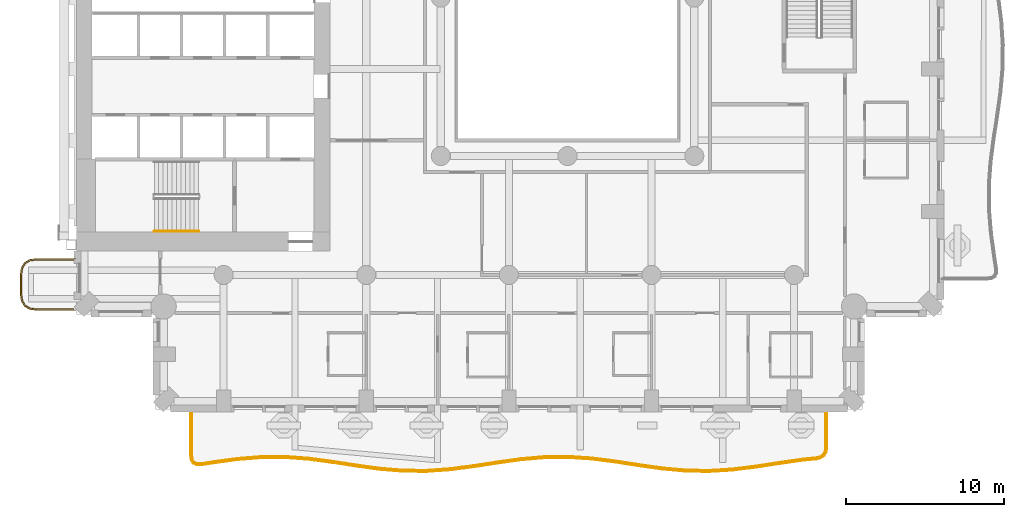
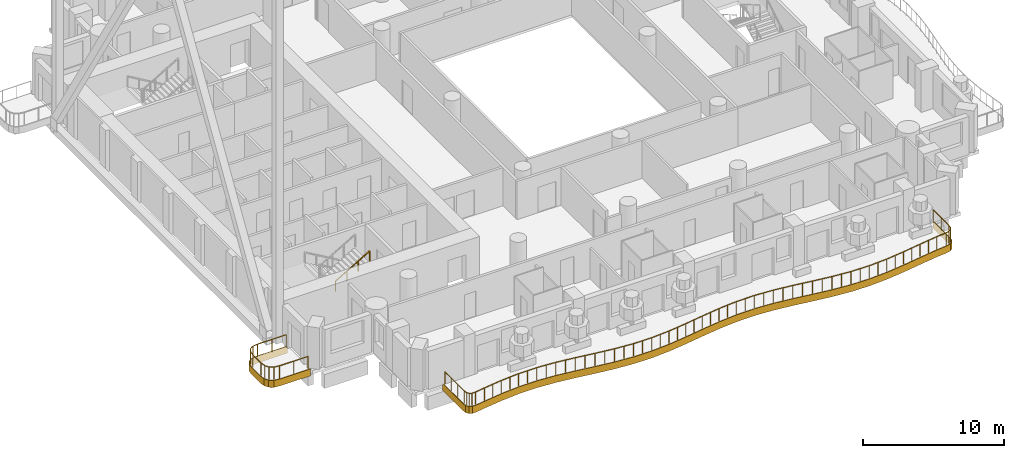
# One storey, part 17 of 24: 3 railings, 2 coverings.
"""IFC4 building model written with IfcOpenShell, lengths in metres."""

import ifcopenshell
import ifcopenshell.guid

model = None  # the IFC model being written
_history = None  # IfcOwnerHistory: only IFC2X3 demands one
_inside = {}  # id of a spatial element -> (the spatial element, [elements in it])
_under = {}  # id of a project, library or spatial element -> (it, [spatial elements below it])
_declared = {}  # id of a project -> (the project, [libraries it declares])
_typed = {}  # id of a type object -> (the type object, [elements of that type])
_made_of = {}  # id of a material, layer set ... -> (it, [elements and type objects made of it])


def new_model(schema):
    """Start an empty IFC model of exactly this schema.

    Asked for "IFC4X3", IfcOpenShell would pick the latest addendum, in which some entities
    have other attributes; the version numbers below select the first issue.
    IFC2X3 requires an IfcOwnerHistory on every rooted entity: one is made here for all.
    """
    global model, _history
    if schema == "IFC4X3":
        model = ifcopenshell.file(schema_version=(4, 3, 0, 0))
    else:
        model = ifcopenshell.file(schema=schema)
    _inside.clear()
    _under.clear()
    _declared.clear()
    _typed.clear()
    _made_of.clear()
    _history = None
    if model.schema == "IFC2X3":
        org = make("IfcOrganization", Name="unknown")
        user = make(
            "IfcPersonAndOrganization",
            ThePerson=make("IfcPerson", FamilyName="unknown"),
            TheOrganization=org,
        )
        app = make(
            "IfcApplication",
            ApplicationDeveloper=org,
            Version="unknown",
            ApplicationFullName="unknown",
            ApplicationIdentifier="unknown",
        )
        _history = make(
            "IfcOwnerHistory",
            OwningUser=user,
            OwningApplication=app,
            ChangeAction="ADDED",
            CreationDate=0,
        )
    return model


def make(cls, **values):
    """One entity of the class cls with the attributes given. An attribute that is None is left unset."""
    return model.create_entity(
        cls, **{name: value for name, value in values.items() if value is not None}
    )


def rooted(cls, **values):
    """An entity with a GlobalId (a new one), such as an element, a storey or a relation."""
    return make(cls, GlobalId=ifcopenshell.guid.new(), OwnerHistory=_history, **values)


def si_unit(unit_type, name, prefix=None):
    """IfcSIUnit, for example si_unit("LENGTHUNIT", "METRE", prefix="MILLI")."""
    return make("IfcSIUnit", UnitType=unit_type, Prefix=prefix, Name=name)


def assignment(units):
    """IfcUnitAssignment: the units of a project."""
    return None if units is None else make("IfcUnitAssignment", Units=units)


def point(xyz):
    """IfcCartesianPoint."""
    return None if xyz is None else make("IfcCartesianPoint", Coordinates=xyz)


def direction(xyz):
    """IfcDirection."""
    return None if xyz is None else make("IfcDirection", DirectionRatios=xyz)


def frame(location, z_axis=None, x_axis=None):
    """IfcAxis2Placement3D, a coordinate frame: its origin and axes. An axis left out is left unset."""
    return make(
        "IfcAxis2Placement3D",
        Location=point(location),
        Axis=direction(z_axis),
        RefDirection=direction(x_axis),
    )


def frame_2d(location, x_axis=None):
    """IfcAxis2Placement2D, a coordinate frame in the plane: its origin and x axis."""
    return make(
        "IfcAxis2Placement2D", Location=point(location), RefDirection=direction(x_axis)
    )


def origin():
    """The frame at (0, 0, 0) with its axes left unset."""
    return frame((0.0, 0.0, 0.0))


def origin_2d():
    """The frame at (0, 0) in the plane with its x axis left unset."""
    return frame_2d((0.0, 0.0))


def place(relative_to, where):
    """IfcLocalPlacement: puts the frame where relative to a parent placement (None: the world)."""
    return make(
        "IfcLocalPlacement", PlacementRelTo=relative_to, RelativePlacement=where
    )


def context(
    kind, dimensions, precision=None, world=None, true_north=None, identifier=None
):
    """IfcGeometricRepresentationContext, for example the 3D "Model" context."""
    return make(
        "IfcGeometricRepresentationContext",
        ContextIdentifier=identifier,
        ContextType=kind,
        CoordinateSpaceDimension=dimensions,
        Precision=precision,
        WorldCoordinateSystem=world,
        TrueNorth=true_north,
    )


def subcontext(parent, identifier, kind, view, scale=None):
    """IfcGeometricRepresentationSubContext, for example "Body" below "Model"."""
    return make(
        "IfcGeometricRepresentationSubContext",
        ContextIdentifier=identifier,
        ContextType=kind,
        ParentContext=parent,
        TargetScale=scale,
        TargetView=view,
    )


def project(units=None, contexts=None):
    """IfcProject with its units and contexts."""
    return rooted(
        "IfcProject",
        Name="project",
        RepresentationContexts=contexts,
        UnitsInContext=assignment(units),
    )


def spatial(cls, under=None, at=None, **own):
    """A site, building, storey or space (cls), placed at a placement, below another one or the project."""
    s = rooted(cls, ObjectPlacement=at, **own)
    if under is not None:
        _under.setdefault(under.id(), (under, []))[1].append(s)
    return s


def polyline(points):
    """IfcPolyline through the points."""
    return make("IfcPolyline", Points=[point(p) for p in points])


def profile(cls, at=None, kind="AREA", **sizes):
    """A parametric profile (cls). Its sizes go by their IFC names, for example OverallWidth=200.0."""
    return make(cls, ProfileType=kind, Position=at, **sizes)


def rectangle(**sizes):
    """IfcRectangleProfileDef."""
    return profile("IfcRectangleProfileDef", **sizes)


def outline(outer, holes=None, kind="AREA"):
    """IfcArbitraryClosedProfileDef: a profile drawn as a closed curve; with holes, ...WithVoids."""
    if holes is None:
        return make("IfcArbitraryClosedProfileDef", ProfileType=kind, OuterCurve=outer)
    return make(
        "IfcArbitraryProfileDefWithVoids",
        ProfileType=kind,
        OuterCurve=outer,
        InnerCurves=holes,
    )


def extrude(swept, where, along, depth):
    """IfcExtrudedAreaSolid: the profile swept, set in the frame where, extruded along a direction by depth."""
    return make(
        "IfcExtrudedAreaSolid",
        SweptArea=swept,
        Position=where,
        ExtrudedDirection=direction(along),
        Depth=depth,
    )


def shape(context_of_items, identifier, shape_type, items):
    """IfcShapeRepresentation: the items that make up one representation, for example the "Body"."""
    return make(
        "IfcShapeRepresentation",
        ContextOfItems=context_of_items,
        RepresentationIdentifier=identifier,
        RepresentationType=shape_type,
        Items=items,
    )


def material(Name=None, Category=None):
    """IfcMaterial."""
    return make("IfcMaterial", Name=Name, Category=Category)


def layer(
    of_material, thickness, ventilated=None, Name=None, Category=None, Priority=None
):
    """IfcMaterialLayer: one layer of a wall or slab, of a material (None: an air gap)."""
    return make(
        "IfcMaterialLayer",
        Material=of_material,
        LayerThickness=thickness,
        IsVentilated=ventilated,
        Name=Name,
        Category=Category,
        Priority=Priority,
    )


def layer_set(layers, Name=None):
    """IfcMaterialLayerSet."""
    return make("IfcMaterialLayerSet", MaterialLayers=layers, LayerSetName=Name)


def made_of(thing, what):
    """Note that an element or type object is made of a material, layer set ...; save() writes the relation."""
    if what is not None:
        _made_of.setdefault(what.id(), (what, []))[1].append(thing)
    return thing


def type_object(cls, material=None, **own):
    """A type object (cls), such as IfcWallType, which elements share."""
    return made_of(rooted(cls, **own), material)


def element(
    cls,
    number,
    at=None,
    inside=None,
    cuts=None,
    type_object=None,
    material=None,
    context=None,
    identifier="Body",
    shape_type=None,
    held_by="IfcProductDefinitionShape",
    body=None,
    shapes=None,
    **own,
):
    """One element of the class cls, such as IfcWall. Its Tag is "e" and its number.

    at: its placement. inside: the storey or other place that contains it. cuts: it is an
    opening in that element (IfcRelVoidsElement). A single representation is given by context,
    identifier, shape_type and body (its items); several are given by shapes. held_by: the class
    of the entity that holds the representations. save() writes the other relations.
    """
    e = rooted(cls, Tag="e%d" % number, ObjectPlacement=at, **own)
    if body is not None:
        shapes = [shape(context, identifier, shape_type, body)]
    if shapes is not None:
        e.Representation = make(held_by, Representations=shapes)
    if inside is not None:
        _inside.setdefault(inside.id(), (inside, []))[1].append(e)
    if cuts is not None:
        rooted(
            "IfcRelVoidsElement", RelatingBuildingElement=cuts, RelatedOpeningElement=e
        )
    if type_object is not None:
        _typed.setdefault(type_object.id(), (type_object, []))[1].append(e)
    return made_of(e, material)


def aggregate(whole, parts):
    """IfcRelAggregates: a whole, such as a stair, and the parts it consists of."""
    return rooted("IfcRelAggregates", RelatingObject=whole, RelatedObjects=parts)


def save(model, path):
    """Write the relations noted so far, then the file.

    IfcRelAggregates (storeys below a building ...), IfcRelContainedInSpatialStructure (elements
    in a storey), IfcRelDefinesByType, IfcRelAssociatesMaterial and IfcRelDeclares: one each for
    every whole, place, type object, material and project.
    """
    for whole, parts in _under.values():
        aggregate(whole, parts)
    for where, things in _inside.values():
        rooted(
            "IfcRelContainedInSpatialStructure",
            RelatedElements=things,
            RelatingStructure=where,
        )
    for kind, things in _typed.values():
        rooted("IfcRelDefinesByType", RelatedObjects=things, RelatingType=kind)
    for what, things in _made_of.values():
        rooted("IfcRelAssociatesMaterial", RelatedObjects=things, RelatingMaterial=what)
    for by, libraries in _declared.values():
        rooted("IfcRelDeclares", RelatingContext=by, RelatedDefinitions=libraries)
    model.write(path)


model = new_model("IFC4")

# Units and contexts
model_context = context("Model", 3, precision=1e-05, world=origin(), true_north=direction((0.0, 1.0)))
body_context = subcontext(model_context, "Body", "Model", "MODEL_VIEW")
ifc_project = project(units=[si_unit("LENGTHUNIT", "METRE"), si_unit("AREAUNIT", "SQUARE_METRE"), si_unit("VOLUMEUNIT", "CUBIC_METRE"), si_unit("PLANEANGLEUNIT", "RADIAN"), si_unit("MASSUNIT", "GRAM", prefix="KILO")], contexts=[model_context])

# Site, building, storey
site_placement = place(None, origin())
site = spatial("IfcSite", under=ifc_project, at=site_placement, CompositionType="ELEMENT")
building_placement = place(site_placement, origin())
building = spatial("IfcBuilding", under=site, at=building_placement, Name="Cypress Arch Tower", CompositionType="ELEMENT")
storey_placement = place(building_placement, frame((0.0, 0.0, 102.300048828125)))
storey = spatial("IfcBuildingStorey", under=building, at=storey_placement, Name="L20", CompositionType="ELEMENT", Elevation=102.300048828125)

# Coverings
ifc_material_1 = material(Name="White powder-coated aluminium fascia", Category="aluminium")
ifc_layer = layer(ifc_material_1, 0.050048828125)
ifc_layer_set = layer_set([ifc_layer], Name="Balcony fascia BF50")
covering_type = type_object("IfcCoveringType", Name="Balcony fascia BF50", PredefinedType="CLADDING", material=ifc_layer_set)
covering_1_placement = place(storey_placement, frame((0.0, 0.0, -0.60009765625)))
element("IfcCovering", 1, at=covering_1_placement, inside=storey, type_object=covering_type, Name="Balcony fascia L20-A00W1", PredefinedType="CLADDING", context=body_context, shape_type="SweptSolid", body=[
    extrude(outline(polyline([(-32.503662109375, -19.75), (-32.95458984375, -19.685546875), (-33.286376953125, -19.486328125), (-33.485595703125, -19.154541015625), (-33.550048828125, -18.70361328125), (-33.550048828125, -17.496337890625), (-33.485595703125, -17.04541015625), (-33.286376953125, -16.713623046875), (-32.95458984375, -16.514404296875), (-32.503662109375, -16.449951171875), (-30.0009765625, -16.449951171875), (-30.0009765625, -16.5), (-32.5, -16.5), (-32.9375, -16.5625), (-33.25, -16.75), (-33.4375, -17.0625), (-33.5, -17.5), (-33.5, -18.699951171875), (-33.4375, -19.137451171875), (-33.25, -19.449951171875), (-32.9375, -19.637451171875), (-32.5, -19.699951171875), (-30.0009765625, -19.699951171875), (-30.0009765625, -19.75), (-32.503662109375, -19.75)])), origin(), (0.0, 0.0, 1.0), 0.60009765625),
])
covering_2_placement = place(storey_placement, frame((0.0, 0.0, -0.60009765625)))
element("IfcCovering", 2, at=covering_2_placement, inside=storey, type_object=covering_type, Name="Balcony fascia L20-A03", PredefinedType="CLADDING", context=body_context, shape_type="SweptSolid", body=[
    extrude(outline(polyline([(17.39990234375, -28.367919921875), (17.3564453125, -28.678466796875), (17.220947265625, -28.91845703125), (16.994873046875, -29.076171875), (16.68994140625, -29.14892578125), (15.870849609375, -29.22705078125), (14.386962890625, -29.43994140625), (12.9013671875, -29.6689453125), (11.413818359375, -29.853515625), (9.92529296875, -29.945068359375), (8.436279296875, -29.91943359375), (6.947998046875, -29.783203125), (5.461181640625, -29.57275390625), (3.976318359375, -29.34326171875), (2.493408203125, -29.15478515625), (1.01171875, -29.05712890625), (-0.4697265625, -29.07568359375), (-1.95166015625, -29.205322265625), (-3.435302734375, -29.412353515625), (-4.920654296875, -29.642822265625), (-6.407958984375, -29.83544921875), (-7.896484375, -29.940185546875), (-9.385498046875, -29.9287109375), (-10.8740234375, -29.804443359375), (-12.36083984375, -29.60009765625), (-13.845947265625, -29.36962890625), (-15.3291015625, -29.17333984375), (-16.81103515625, -29.06298828125), (-18.29248046875, -29.067138671875), (-19.7744140625, -29.184814453125), (-21.257568359375, -29.38525390625), (-22.07763671875, -29.5126953125), (-22.384521484375, -29.515869140625), (-22.61669921875, -29.410888671875), (-22.756103515625, -29.197509765625), (-22.800048828125, -28.893798828125), (-22.800048828125, -26.0009765625), (-22.75, -26.0009765625), (-22.75, -28.89013671875), (-22.708251953125, -29.179443359375), (-22.5830078125, -29.371337890625), (-22.3740234375, -29.4658203125), (-22.081787109375, -29.462646484375), (-21.264892578125, -29.335693359375), (-19.779541015625, -29.135009765625), (-18.29443359375, -29.01708984375), (-16.809326171875, -29.012939453125), (-15.323974609375, -29.123779296875), (-13.8388671875, -29.320068359375), (-12.353759765625, -29.55078125), (-10.868408203125, -29.7548828125), (-9.38330078125, -29.878662109375), (-7.898193359375, -29.89013671875), (-6.412841796875, -29.785888671875), (-4.927734375, -29.59326171875), (-3.442626953125, -29.363037109375), (-1.95751953125, -29.15576171875), (-0.47216796875, -29.025634765625), (1.012939453125, -29.007080078125), (2.498046875, -29.10498046875), (3.9833984375, -29.293701171875), (5.468505859375, -29.523193359375), (6.95361328125, -29.733642578125), (8.43896484375, -29.869384765625), (9.924072265625, -29.89501953125), (11.4091796875, -29.8037109375), (12.89453125, -29.619384765625), (14.379638671875, -29.390625), (15.86474609375, -29.17724609375), (16.681640625, -29.099365234375), (16.97412109375, -29.029541015625), (17.182861328125, -28.8837890625), (17.308349609375, -28.662109375), (17.35009765625, -28.364501953125), (17.35009765625, -26.0009765625), (17.39990234375, -26.0009765625), (17.39990234375, -28.367919921875)])), origin(), (0.0, 0.0, 1.0), 0.60009765625),
])

# Railings
ifc_material_2 = material(Name="Powder-coated steel posts and rods, 100 mm clear between rods", Category="steel")
railing_type_1 = type_object("IfcRailingType", Name="Balcony guard GR1100", PredefinedType="GUARDRAIL", material=ifc_material_2)
railing_1_placement = place(storey_placement, frame((-30.14990234375, -19.64990234375, 0.0)))
element("IfcRailing", 3, at=railing_1_placement, inside=storey, type_object=railing_type_1, Name="Balcony guard L20-A00W1", PredefinedType="GUARDRAIL", context=body_context, shape_type="SweptSolid", body=[
    extrude(rectangle(XDim=0.050048828125, YDim=0.050048828125, at=origin_2d()), frame((0.0, 0.0, 1.0751953125), z_axis=(-1.0, 0.0, 0.0), x_axis=(0.0, -1.0, 0.0)), (0.0, 0.0, 1.0), 2.346435546875),
    extrude(rectangle(XDim=0.050048828125, YDim=0.050048828125, at=origin_2d()), frame((-2.346435546875, 0.0, 1.0751953125), z_axis=(-0.989960888959, 0.141341566184, 0.0), x_axis=(-0.141341566184, -0.989960888959, 0.0)), (0.0, 0.0, 1.0), 0.428466796875),
    extrude(rectangle(XDim=0.050048828125, YDim=0.050048828125, at=origin_2d()), frame((-2.7705078125, 0.060546875, 1.0751953125), z_axis=(-0.857681904839, 0.514180659021, 0.0), x_axis=(-0.514180659021, -0.857681904839, 0.0)), (0.0, 0.0, 1.0), 0.341796875),
    extrude(rectangle(XDim=0.050048828125, YDim=0.050048828125, at=origin_2d()), frame((-3.063720703125, 0.236328125, 1.0751953125), z_axis=(-0.514180659021, 0.857681904839, 0.0), x_axis=(-0.857681904839, -0.514180659021, 0.0)), (0.0, 0.0, 1.0), 0.341796875),
    extrude(rectangle(XDim=0.050048828125, YDim=0.050048828125, at=origin_2d()), frame((-3.239501953125, 0.529541015625, 1.0751953125), z_axis=(-0.141421356237, 0.989949493661, 0.0), x_axis=(-0.989949493661, -0.141421356237, 0.0)), (0.0, 0.0, 1.0), 0.42822265625),
    extrude(rectangle(XDim=0.050048828125, YDim=0.050048828125, at=origin_2d()), frame((-3.300048828125, 0.953369140625, 1.0751953125), z_axis=(0.0, 1.0, 0.0), x_axis=(-1.0, 0.0, 0.0)), (0.0, 0.0, 1.0), 1.19287109375),
    extrude(rectangle(XDim=0.050048828125, YDim=0.050048828125, at=origin_2d()), frame((-3.300048828125, 2.146240234375, 1.0751953125), z_axis=(0.141341566184, 0.989960888959, 0.0), x_axis=(-0.989960888959, 0.141341566184, 0.0)), (0.0, 0.0, 1.0), 0.428466796875),
    extrude(rectangle(XDim=0.050048828125, YDim=0.050048828125, at=origin_2d()), frame((-3.239501953125, 2.5703125, 1.0751953125), z_axis=(0.514180659021, 0.857681904839, 0.0), x_axis=(-0.857681904839, 0.514180659021, 0.0)), (0.0, 0.0, 1.0), 0.341796875),
    extrude(rectangle(XDim=0.050048828125, YDim=0.050048828125, at=origin_2d()), frame((-3.063720703125, 2.863525390625, 1.0751953125), z_axis=(0.857681904839, 0.514180659021, 0.0), x_axis=(-0.514180659021, 0.857681904839, 0.0)), (0.0, 0.0, 1.0), 0.341796875),
    extrude(rectangle(XDim=0.050048828125, YDim=0.050048828125, at=origin_2d()), frame((-2.7705078125, 3.039306640625, 1.0751953125), z_axis=(0.989960888959, 0.141341566184, 0.0), x_axis=(-0.141341566184, 0.989960888959, 0.0)), (0.0, 0.0, 1.0), 0.428466796875),
    extrude(rectangle(XDim=0.050048828125, YDim=0.050048828125, at=origin_2d()), frame((-2.346435546875, 3.099853515625, 1.0751953125), z_axis=(1.0, 0.0, 0.0), x_axis=(0.0, 1.0, 0.0)), (0.0, 0.0, 1.0), 2.346435546875),
    extrude(rectangle(XDim=0.0400390625, YDim=0.0400390625, at=origin_2d()), origin(), (0.0, 0.0, 1.0), 1.050048828125),
    extrude(rectangle(XDim=0.0400390625, YDim=0.0400390625, at=origin_2d()), frame((-1.17333984375, 0.0, 0.0)), (0.0, 0.0, 1.0), 1.050048828125),
    extrude(rectangle(XDim=0.0400390625, YDim=0.0400390625, at=origin_2d()), frame((-2.346435546875, 0.0, 0.0)), (0.0, 0.0, 1.0), 1.050048828125),
    extrude(rectangle(XDim=0.0400390625, YDim=0.0400390625, at=origin_2d()), frame((-2.7705078125, 0.060546875, 0.0)), (0.0, 0.0, 1.0), 1.050048828125),
    extrude(rectangle(XDim=0.0400390625, YDim=0.0400390625, at=origin_2d()), frame((-3.063720703125, 0.236328125, 0.0)), (0.0, 0.0, 1.0), 1.050048828125),
    extrude(rectangle(XDim=0.0400390625, YDim=0.0400390625, at=origin_2d()), frame((-3.239501953125, 0.529541015625, 0.0)), (0.0, 0.0, 1.0), 1.050048828125),
    extrude(rectangle(XDim=0.0400390625, YDim=0.0400390625, at=origin_2d()), frame((-3.300048828125, 0.953369140625, 0.0)), (0.0, 0.0, 1.0), 1.050048828125),
    extrude(rectangle(XDim=0.0400390625, YDim=0.0400390625, at=origin_2d()), frame((-3.300048828125, 2.146240234375, 0.0)), (0.0, 0.0, 1.0), 1.050048828125),
    extrude(rectangle(XDim=0.0400390625, YDim=0.0400390625, at=origin_2d()), frame((-3.239501953125, 2.5703125, 0.0)), (0.0, 0.0, 1.0), 1.050048828125),
    extrude(rectangle(XDim=0.0400390625, YDim=0.0400390625, at=origin_2d()), frame((-3.063720703125, 2.863525390625, 0.0)), (0.0, 0.0, 1.0), 1.050048828125),
    extrude(rectangle(XDim=0.0400390625, YDim=0.0400390625, at=origin_2d()), frame((-2.7705078125, 3.039306640625, 0.0)), (0.0, 0.0, 1.0), 1.050048828125),
    extrude(rectangle(XDim=0.0400390625, YDim=0.0400390625, at=origin_2d()), frame((-2.346435546875, 3.099853515625, 0.0)), (0.0, 0.0, 1.0), 1.050048828125),
    extrude(rectangle(XDim=0.0400390625, YDim=0.0400390625, at=origin_2d()), frame((-1.17333984375, 3.099853515625, 0.0)), (0.0, 0.0, 1.0), 1.050048828125),
    extrude(rectangle(XDim=0.0400390625, YDim=0.0400390625, at=origin_2d()), frame((0.0, 3.099853515625, 0.0)), (0.0, 0.0, 1.0), 1.050048828125),
])
railing_2_placement = place(storey_placement, frame((17.300048828125, -26.14990234375, 0.0)))
element("IfcRailing", 4, at=railing_2_placement, inside=storey, type_object=railing_type_1, Name="Balcony guard L20-A03", PredefinedType="GUARDRAIL", context=body_context, shape_type="SweptSolid", body=[
    extrude(rectangle(XDim=0.050048828125, YDim=0.050048828125, at=origin_2d()), frame((0.0, 0.0, 1.0751953125), z_axis=(0.0, -1.0, 0.0), x_axis=(1.0, 0.0, 0.0)), (0.0, 0.0, 1.0), 2.2109375),
    extrude(rectangle(XDim=0.050048828125, YDim=0.050048828125, at=origin_2d()), frame((0.0, -2.2109375, 1.0751953125), z_axis=(-0.139163819362, -0.990269373141, 0.0), x_axis=(0.990269373141, -0.139163819362, 0.0)), (0.0, 0.0, 1.0), 0.28759765625),
    extrude(rectangle(XDim=0.050048828125, YDim=0.050048828125, at=origin_2d()), frame((-0.0400390625, -2.495849609375, 1.0751953125), z_axis=(-0.491747600372, -0.870737789193, 0.0), x_axis=(0.870737789193, -0.491747600372, 0.0)), (0.0, 0.0, 1.0), 0.23388671875),
    extrude(rectangle(XDim=0.050048828125, YDim=0.050048828125, at=origin_2d()), frame((-0.155029296875, -2.699462890625, 1.0751953125), z_axis=(-0.820309143391, -0.571920369692, 0.0), x_axis=(0.571920369692, -0.820309143391, 0.0)), (0.0, 0.0, 1.0), 0.23388671875),
    extrude(rectangle(XDim=0.050048828125, YDim=0.050048828125, at=origin_2d()), frame((-0.346923828125, -2.833251953125, 1.0751953125), z_axis=(-0.972587237456, -0.232538309828, 0.0), x_axis=(0.232538309828, -0.972587237456, 0.0)), (0.0, 0.0, 1.0), 0.28759765625),
    extrude(rectangle(XDim=0.050048828125, YDim=0.050048828125, at=origin_2d()), frame((-0.626708984375, -2.900146484375, 1.0751953125), z_axis=(-0.995487422064, -0.094893585197, 0.0), x_axis=(0.094893585197, -0.995487422064, 0.0)), (0.0, 0.0, 1.0), 0.818115234375),
    extrude(rectangle(XDim=0.050048828125, YDim=0.050048828125, at=origin_2d()), frame((-1.441162109375, -2.977783203125, 1.0751953125), z_axis=(-0.989854986256, -0.142081336506, 0.0), x_axis=(0.142081336506, -0.989854986256, 0.0)), (0.0, 0.0, 1.0), 1.501708984375),
    extrude(rectangle(XDim=0.050048828125, YDim=0.050048828125, at=origin_2d()), frame((-2.927734375, -3.191162109375, 1.0751953125), z_axis=(-0.988339738958, -0.152264770701, 0.0), x_axis=(0.152264770701, -0.988339738958, 0.0)), (0.0, 0.0, 1.0), 1.50244140625),
    extrude(rectangle(XDim=0.050048828125, YDim=0.050048828125, at=origin_2d()), frame((-4.41259765625, -3.419921875, 1.0751953125), z_axis=(-0.992383087292, -0.123190129703, 0.0), x_axis=(0.123190129703, -0.992383087292, 0.0)), (0.0, 0.0, 1.0), 1.494384765625),
    extrude(rectangle(XDim=0.050048828125, YDim=0.050048828125, at=origin_2d()), frame((-5.8955078125, -3.60400390625, 1.0751953125), z_axis=(-0.998116675452, -0.061344129172, 0.0), x_axis=(0.061344129172, -0.998116675452, 0.0)), (0.0, 0.0, 1.0), 1.484375),
    extrude(rectangle(XDim=0.050048828125, YDim=0.050048828125, at=origin_2d()), frame((-7.377197265625, -3.695068359375, 1.0751953125), z_axis=(-0.999853109742, 0.017139397299, 0.0), x_axis=(-0.017139397299, -0.999853109742, 0.0)), (0.0, 0.0, 1.0), 1.4814453125),
    extrude(rectangle(XDim=0.050048828125, YDim=0.050048828125, at=origin_2d()), frame((-8.8583984375, -3.669677734375, 1.0751953125), z_axis=(-0.99584736526, 0.09103859129, 0.0), x_axis=(-0.09103859129, -0.99584736526, 0.0)), (0.0, 0.0, 1.0), 1.48828125),
    extrude(rectangle(XDim=0.050048828125, YDim=0.050048828125, at=origin_2d()), frame((-10.340576171875, -3.5341796875, 1.0751953125), z_axis=(-0.990111764416, 0.140280768333, 0.0), x_axis=(-0.140280768333, -0.990111764416, 0.0)), (0.0, 0.0, 1.0), 1.49853515625),
    extrude(rectangle(XDim=0.050048828125, YDim=0.050048828125, at=origin_2d()), frame((-11.82421875, -3.323974609375, 1.0751953125), z_axis=(-0.988253112956, 0.152825994953, 0.0), x_axis=(-0.152825994953, -0.988253112956, 0.0)), (0.0, 0.0, 1.0), 1.503173828125),
    extrude(rectangle(XDim=0.050048828125, YDim=0.050048828125, at=origin_2d()), frame((-13.309814453125, -3.09423828125, 1.0751953125), z_axis=(-0.992045676609, 0.12587841563, 0.0), x_axis=(-0.12587841563, -0.992045676609, 0.0)), (0.0, 0.0, 1.0), 1.499267578125),
    extrude(rectangle(XDim=0.050048828125, YDim=0.050048828125, at=origin_2d()), frame((-14.797119140625, -2.905517578125, 1.0751953125), z_axis=(-0.997833411032, 0.065791213914, 0.0), x_axis=(-0.065791213914, -0.997833411032, 0.0)), (0.0, 0.0, 1.0), 1.49169921875),
    extrude(rectangle(XDim=0.050048828125, YDim=0.050048828125, at=origin_2d()), frame((-16.28564453125, -2.807373046875, 1.0751953125), z_axis=(-0.999924399266, -0.012296168215, 0.0), x_axis=(0.012296168215, -0.999924399266, 0.0)), (0.0, 0.0, 1.0), 1.489013671875),
    extrude(rectangle(XDim=0.050048828125, YDim=0.050048828125, at=origin_2d()), frame((-17.774658203125, -2.82568359375, 1.0751953125), z_axis=(-0.996186442698, -0.08725005091, 0.0), x_axis=(0.08725005091, -0.996186442698, 0.0)), (0.0, 0.0, 1.0), 1.494140625),
    extrude(rectangle(XDim=0.050048828125, YDim=0.050048828125, at=origin_2d()), frame((-19.26318359375, -2.9560546875, 1.0751953125), z_axis=(-0.990399718208, -0.138233129799, 0.0), x_axis=(0.138233129799, -0.990399718208, 0.0)), (0.0, 0.0, 1.0), 1.501220703125),
    extrude(rectangle(XDim=0.050048828125, YDim=0.050048828125, at=origin_2d()), frame((-20.75, -3.16357421875, 1.0751953125), z_axis=(-0.988192572772, -0.153216967465, 0.0), x_axis=(0.153216967465, -0.988192572772, 0.0)), (0.0, 0.0, 1.0), 1.502685546875),
    extrude(rectangle(XDim=0.050048828125, YDim=0.050048828125, at=origin_2d()), frame((-22.23486328125, -3.393798828125, 1.0751953125), z_axis=(-0.9916920978, -0.128634300093, 0.0), x_axis=(0.128634300093, -0.9916920978, 0.0)), (0.0, 0.0, 1.0), 1.49560546875),
    extrude(rectangle(XDim=0.050048828125, YDim=0.050048828125, at=origin_2d()), frame((-23.718017578125, -3.586181640625, 1.0751953125), z_axis=(-0.997545552738, -0.070020498512, 0.0), x_axis=(0.070020498512, -0.997545552738, 0.0)), (0.0, 0.0, 1.0), 1.4853515625),
    extrude(rectangle(XDim=0.050048828125, YDim=0.050048828125, at=origin_2d()), frame((-25.19970703125, -3.690185546875, 1.0751953125), z_axis=(-0.999971267342, 0.007580533668, 0.0), x_axis=(-0.007580533668, -0.999971267342, 0.0)), (0.0, 0.0, 1.0), 1.4814453125),
    extrude(rectangle(XDim=0.050048828125, YDim=0.050048828125, at=origin_2d()), frame((-26.68115234375, -3.678955078125, 1.0751953125), z_axis=(-0.996529888909, 0.083235692533, 0.0), x_axis=(-0.083235692533, -0.996529888909, 0.0)), (0.0, 0.0, 1.0), 1.487060546875),
    extrude(rectangle(XDim=0.050048828125, YDim=0.050048828125, at=origin_2d()), frame((-28.1630859375, -3.55517578125, 1.0751953125), z_axis=(-0.990688738716, 0.1361463293, 0.0), x_axis=(-0.1361463293, -0.990688738716, 0.0)), (0.0, 0.0, 1.0), 1.497314453125),
    extrude(rectangle(XDim=0.050048828125, YDim=0.050048828125, at=origin_2d()), frame((-29.646484375, -3.351318359375, 1.0751953125), z_axis=(-0.98815097937, 0.153484989399, 0.0), x_axis=(-0.153484989399, -0.98815097937, 0.0)), (0.0, 0.0, 1.0), 1.503173828125),
    extrude(rectangle(XDim=0.050048828125, YDim=0.050048828125, at=origin_2d()), frame((-31.1318359375, -3.12060546875, 1.0751953125), z_axis=(-0.991379344388, 0.131022881667, 0.0), x_axis=(-0.131022881667, -0.991379344388, 0.0)), (0.0, 0.0, 1.0), 1.5),
    extrude(rectangle(XDim=0.050048828125, YDim=0.050048828125, at=origin_2d()), frame((-32.618896484375, -2.924072265625, 1.0751953125), z_axis=(-0.99722699261, 0.074419924822, 0.0), x_axis=(-0.074419924822, -0.99722699261, 0.0)), (0.0, 0.0, 1.0), 1.49267578125),
    extrude(rectangle(XDim=0.050048828125, YDim=0.050048828125, at=origin_2d()), frame((-34.107421875, -2.81298828125, 1.0751953125), z_axis=(-0.999995644932, -0.002951290639, 0.0), x_axis=(0.002951290639, -0.999995644932, 0.0)), (0.0, 0.0, 1.0), 1.489013671875),
    extrude(rectangle(XDim=0.050048828125, YDim=0.050048828125, at=origin_2d()), frame((-35.596435546875, -2.8173828125, 1.0751953125), z_axis=(-0.996863959632, -0.07913435402, 0.0), x_axis=(0.07913435402, -0.996863959632, 0.0)), (0.0, 0.0, 1.0), 1.4931640625),
    extrude(rectangle(XDim=0.050048828125, YDim=0.050048828125, at=origin_2d()), frame((-37.0849609375, -2.935546875, 1.0751953125), z_axis=(-0.990994764524, -0.133900622427, 0.0), x_axis=(0.133900622427, -0.990994764524, 0.0)), (0.0, 0.0, 1.0), 1.50048828125),
    extrude(rectangle(XDim=0.050048828125, YDim=0.050048828125, at=origin_2d()), frame((-38.572021484375, -3.136474609375, 1.0751953125), z_axis=(-0.988182421994, -0.153282421894, 0.0), x_axis=(0.153282421894, -0.988182421994, 0.0)), (0.0, 0.0, 1.0), 0.823486328125),
    extrude(rectangle(XDim=0.050048828125, YDim=0.050048828125, at=origin_2d()), frame((-39.3857421875, -3.2626953125, 1.0751953125), z_axis=(-0.999934757637, -0.011422804788, 0.0), x_axis=(0.011422804788, -0.999934757637, 0.0)), (0.0, 0.0, 1.0), 0.27783203125),
    extrude(rectangle(XDim=0.050048828125, YDim=0.050048828125, at=origin_2d()), frame((-39.66357421875, -3.265869140625, 1.0751953125), z_axis=(-0.911022159861, 0.412357398674, 0.0), x_axis=(-0.412357398674, -0.911022159861, 0.0)), (0.0, 0.0, 1.0), 0.20361328125),
    extrude(rectangle(XDim=0.050048828125, YDim=0.050048828125, at=origin_2d()), frame((-39.84912109375, -3.181884765625, 1.0751953125), z_axis=(-0.546926167925, 0.837180844763, 0.0), x_axis=(-0.837180844763, -0.546926167925, 0.0)), (0.0, 0.0, 1.0), 0.20361328125),
    extrude(rectangle(XDim=0.050048828125, YDim=0.050048828125, at=origin_2d()), frame((-39.96044921875, -3.011474609375, 1.0751953125), z_axis=(-0.142405820365, 0.989808356363, 0.0), x_axis=(-0.989808356363, -0.142405820365, 0.0)), (0.0, 0.0, 1.0), 0.27783203125),
    extrude(rectangle(XDim=0.050048828125, YDim=0.050048828125, at=origin_2d()), frame((-40.0, -2.736572265625, 1.0751953125), z_axis=(0.0, 1.0, 0.0), x_axis=(-1.0, 0.0, 0.0)), (0.0, 0.0, 1.0), 2.736572265625),
    extrude(rectangle(XDim=0.0400390625, YDim=0.0400390625, at=origin_2d()), origin(), (0.0, 0.0, 1.0), 1.050048828125),
    extrude(rectangle(XDim=0.0400390625, YDim=0.0400390625, at=origin_2d()), frame((0.0, -1.10546875, 0.0)), (0.0, 0.0, 1.0), 1.050048828125),
    extrude(rectangle(XDim=0.0400390625, YDim=0.0400390625, at=origin_2d()), frame((0.0, -2.2109375, 0.0)), (0.0, 0.0, 1.0), 1.050048828125),
    extrude(rectangle(XDim=0.0400390625, YDim=0.0400390625, at=origin_2d()), frame((-0.0400390625, -2.495849609375, 0.0)), (0.0, 0.0, 1.0), 1.050048828125),
    extrude(rectangle(XDim=0.0400390625, YDim=0.0400390625, at=origin_2d()), frame((-0.155029296875, -2.699462890625, 0.0)), (0.0, 0.0, 1.0), 1.050048828125),
    extrude(rectangle(XDim=0.0400390625, YDim=0.0400390625, at=origin_2d()), frame((-0.346923828125, -2.833251953125, 0.0)), (0.0, 0.0, 1.0), 1.050048828125),
    extrude(rectangle(XDim=0.0400390625, YDim=0.0400390625, at=origin_2d()), frame((-0.626708984375, -2.900146484375, 0.0)), (0.0, 0.0, 1.0), 1.050048828125),
    extrude(rectangle(XDim=0.0400390625, YDim=0.0400390625, at=origin_2d()), frame((-1.441162109375, -2.977783203125, 0.0)), (0.0, 0.0, 1.0), 1.050048828125),
    extrude(rectangle(XDim=0.0400390625, YDim=0.0400390625, at=origin_2d()), frame((-2.1845703125, -3.08447265625, 0.0)), (0.0, 0.0, 1.0), 1.050048828125),
    extrude(rectangle(XDim=0.0400390625, YDim=0.0400390625, at=origin_2d()), frame((-2.927734375, -3.191162109375, 0.0)), (0.0, 0.0, 1.0), 1.050048828125),
    extrude(rectangle(XDim=0.0400390625, YDim=0.0400390625, at=origin_2d()), frame((-3.670166015625, -3.3056640625, 0.0)), (0.0, 0.0, 1.0), 1.050048828125),
    extrude(rectangle(XDim=0.0400390625, YDim=0.0400390625, at=origin_2d()), frame((-4.41259765625, -3.419921875, 0.0)), (0.0, 0.0, 1.0), 1.050048828125),
    extrude(rectangle(XDim=0.0400390625, YDim=0.0400390625, at=origin_2d()), frame((-5.154052734375, -3.511962890625, 0.0)), (0.0, 0.0, 1.0), 1.050048828125),
    extrude(rectangle(XDim=0.0400390625, YDim=0.0400390625, at=origin_2d()), frame((-5.8955078125, -3.60400390625, 0.0)), (0.0, 0.0, 1.0), 1.050048828125),
    extrude(rectangle(XDim=0.0400390625, YDim=0.0400390625, at=origin_2d()), frame((-6.63623046875, -3.6494140625, 0.0)), (0.0, 0.0, 1.0), 1.050048828125),
    extrude(rectangle(XDim=0.0400390625, YDim=0.0400390625, at=origin_2d()), frame((-7.377197265625, -3.695068359375, 0.0)), (0.0, 0.0, 1.0), 1.050048828125),
    extrude(rectangle(XDim=0.0400390625, YDim=0.0400390625, at=origin_2d()), frame((-8.11767578125, -3.682373046875, 0.0)), (0.0, 0.0, 1.0), 1.050048828125),
    extrude(rectangle(XDim=0.0400390625, YDim=0.0400390625, at=origin_2d()), frame((-8.8583984375, -3.669677734375, 0.0)), (0.0, 0.0, 1.0), 1.050048828125),
    extrude(rectangle(XDim=0.0400390625, YDim=0.0400390625, at=origin_2d()), frame((-9.599609375, -3.60205078125, 0.0)), (0.0, 0.0, 1.0), 1.050048828125),
    extrude(rectangle(XDim=0.0400390625, YDim=0.0400390625, at=origin_2d()), frame((-10.340576171875, -3.5341796875, 0.0)), (0.0, 0.0, 1.0), 1.050048828125),
    extrude(rectangle(XDim=0.0400390625, YDim=0.0400390625, at=origin_2d()), frame((-11.08251953125, -3.42919921875, 0.0)), (0.0, 0.0, 1.0), 1.050048828125),
    extrude(rectangle(XDim=0.0400390625, YDim=0.0400390625, at=origin_2d()), frame((-11.82421875, -3.323974609375, 0.0)), (0.0, 0.0, 1.0), 1.050048828125),
    extrude(rectangle(XDim=0.0400390625, YDim=0.0400390625, at=origin_2d()), frame((-12.56689453125, -3.208984375, 0.0)), (0.0, 0.0, 1.0), 1.050048828125),
    extrude(rectangle(XDim=0.0400390625, YDim=0.0400390625, at=origin_2d()), frame((-13.309814453125, -3.09423828125, 0.0)), (0.0, 0.0, 1.0), 1.050048828125),
    extrude(rectangle(XDim=0.0400390625, YDim=0.0400390625, at=origin_2d()), frame((-14.053466796875, -3.0, 0.0)), (0.0, 0.0, 1.0), 1.050048828125),
    extrude(rectangle(XDim=0.0400390625, YDim=0.0400390625, at=origin_2d()), frame((-14.797119140625, -2.905517578125, 0.0)), (0.0, 0.0, 1.0), 1.050048828125),
    extrude(rectangle(XDim=0.0400390625, YDim=0.0400390625, at=origin_2d()), frame((-15.54150390625, -2.8564453125, 0.0)), (0.0, 0.0, 1.0), 1.050048828125),
    extrude(rectangle(XDim=0.0400390625, YDim=0.0400390625, at=origin_2d()), frame((-16.28564453125, -2.807373046875, 0.0)), (0.0, 0.0, 1.0), 1.050048828125),
    extrude(rectangle(XDim=0.0400390625, YDim=0.0400390625, at=origin_2d()), frame((-17.0302734375, -2.81640625, 0.0)), (0.0, 0.0, 1.0), 1.050048828125),
    extrude(rectangle(XDim=0.0400390625, YDim=0.0400390625, at=origin_2d()), frame((-17.774658203125, -2.82568359375, 0.0)), (0.0, 0.0, 1.0), 1.050048828125),
    extrude(rectangle(XDim=0.0400390625, YDim=0.0400390625, at=origin_2d()), frame((-18.51904296875, -2.890869140625, 0.0)), (0.0, 0.0, 1.0), 1.050048828125),
    extrude(rectangle(XDim=0.0400390625, YDim=0.0400390625, at=origin_2d()), frame((-19.26318359375, -2.9560546875, 0.0)), (0.0, 0.0, 1.0), 1.050048828125),
    extrude(rectangle(XDim=0.0400390625, YDim=0.0400390625, at=origin_2d()), frame((-20.006591796875, -3.059814453125, 0.0)), (0.0, 0.0, 1.0), 1.050048828125),
    extrude(rectangle(XDim=0.0400390625, YDim=0.0400390625, at=origin_2d()), frame((-20.75, -3.16357421875, 0.0)), (0.0, 0.0, 1.0), 1.050048828125),
    extrude(rectangle(XDim=0.0400390625, YDim=0.0400390625, at=origin_2d()), frame((-21.492431640625, -3.27880859375, 0.0)), (0.0, 0.0, 1.0), 1.050048828125),
    extrude(rectangle(XDim=0.0400390625, YDim=0.0400390625, at=origin_2d()), frame((-22.23486328125, -3.393798828125, 0.0)), (0.0, 0.0, 1.0), 1.050048828125),
    extrude(rectangle(XDim=0.0400390625, YDim=0.0400390625, at=origin_2d()), frame((-22.9765625, -3.489990234375, 0.0)), (0.0, 0.0, 1.0), 1.050048828125),
    extrude(rectangle(XDim=0.0400390625, YDim=0.0400390625, at=origin_2d()), frame((-23.718017578125, -3.586181640625, 0.0)), (0.0, 0.0, 1.0), 1.050048828125),
    extrude(rectangle(XDim=0.0400390625, YDim=0.0400390625, at=origin_2d()), frame((-24.458984375, -3.63818359375, 0.0)), (0.0, 0.0, 1.0), 1.050048828125),
    extrude(rectangle(XDim=0.0400390625, YDim=0.0400390625, at=origin_2d()), frame((-25.19970703125, -3.690185546875, 0.0)), (0.0, 0.0, 1.0), 1.050048828125),
    extrude(rectangle(XDim=0.0400390625, YDim=0.0400390625, at=origin_2d()), frame((-25.9404296875, -3.6845703125, 0.0)), (0.0, 0.0, 1.0), 1.050048828125),
    extrude(rectangle(XDim=0.0400390625, YDim=0.0400390625, at=origin_2d()), frame((-26.68115234375, -3.678955078125, 0.0)), (0.0, 0.0, 1.0), 1.050048828125),
    extrude(rectangle(XDim=0.0400390625, YDim=0.0400390625, at=origin_2d()), frame((-27.422119140625, -3.6171875, 0.0)), (0.0, 0.0, 1.0), 1.050048828125),
    extrude(rectangle(XDim=0.0400390625, YDim=0.0400390625, at=origin_2d()), frame((-28.1630859375, -3.55517578125, 0.0)), (0.0, 0.0, 1.0), 1.050048828125),
    extrude(rectangle(XDim=0.0400390625, YDim=0.0400390625, at=origin_2d()), frame((-28.90478515625, -3.453125, 0.0)), (0.0, 0.0, 1.0), 1.050048828125),
    extrude(rectangle(XDim=0.0400390625, YDim=0.0400390625, at=origin_2d()), frame((-29.646484375, -3.351318359375, 0.0)), (0.0, 0.0, 1.0), 1.050048828125),
    extrude(rectangle(XDim=0.0400390625, YDim=0.0400390625, at=origin_2d()), frame((-30.38916015625, -3.23583984375, 0.0)), (0.0, 0.0, 1.0), 1.050048828125),
    extrude(rectangle(XDim=0.0400390625, YDim=0.0400390625, at=origin_2d()), frame((-31.1318359375, -3.12060546875, 0.0)), (0.0, 0.0, 1.0), 1.050048828125),
    extrude(rectangle(XDim=0.0400390625, YDim=0.0400390625, at=origin_2d()), frame((-31.87548828125, -3.0224609375, 0.0)), (0.0, 0.0, 1.0), 1.050048828125),
    extrude(rectangle(XDim=0.0400390625, YDim=0.0400390625, at=origin_2d()), frame((-32.618896484375, -2.924072265625, 0.0)), (0.0, 0.0, 1.0), 1.050048828125),
    extrude(rectangle(XDim=0.0400390625, YDim=0.0400390625, at=origin_2d()), frame((-33.36328125, -2.86865234375, 0.0)), (0.0, 0.0, 1.0), 1.050048828125),
    extrude(rectangle(XDim=0.0400390625, YDim=0.0400390625, at=origin_2d()), frame((-34.107421875, -2.81298828125, 0.0)), (0.0, 0.0, 1.0), 1.050048828125),
    extrude(rectangle(XDim=0.0400390625, YDim=0.0400390625, at=origin_2d()), frame((-34.85205078125, -2.815185546875, 0.0)), (0.0, 0.0, 1.0), 1.050048828125),
    extrude(rectangle(XDim=0.0400390625, YDim=0.0400390625, at=origin_2d()), frame((-35.596435546875, -2.8173828125, 0.0)), (0.0, 0.0, 1.0), 1.050048828125),
    extrude(rectangle(XDim=0.0400390625, YDim=0.0400390625, at=origin_2d()), frame((-36.3408203125, -2.87646484375, 0.0)), (0.0, 0.0, 1.0), 1.050048828125),
    extrude(rectangle(XDim=0.0400390625, YDim=0.0400390625, at=origin_2d()), frame((-37.0849609375, -2.935546875, 0.0)), (0.0, 0.0, 1.0), 1.050048828125),
    extrude(rectangle(XDim=0.0400390625, YDim=0.0400390625, at=origin_2d()), frame((-37.82861328125, -3.0361328125, 0.0)), (0.0, 0.0, 1.0), 1.050048828125),
    extrude(rectangle(XDim=0.0400390625, YDim=0.0400390625, at=origin_2d()), frame((-38.572021484375, -3.136474609375, 0.0)), (0.0, 0.0, 1.0), 1.050048828125),
    extrude(rectangle(XDim=0.0400390625, YDim=0.0400390625, at=origin_2d()), frame((-39.3857421875, -3.2626953125, 0.0)), (0.0, 0.0, 1.0), 1.050048828125),
    extrude(rectangle(XDim=0.0400390625, YDim=0.0400390625, at=origin_2d()), frame((-39.66357421875, -3.265869140625, 0.0)), (0.0, 0.0, 1.0), 1.050048828125),
    extrude(rectangle(XDim=0.0400390625, YDim=0.0400390625, at=origin_2d()), frame((-39.84912109375, -3.181884765625, 0.0)), (0.0, 0.0, 1.0), 1.050048828125),
    extrude(rectangle(XDim=0.0400390625, YDim=0.0400390625, at=origin_2d()), frame((-39.96044921875, -3.011474609375, 0.0)), (0.0, 0.0, 1.0), 1.050048828125),
    extrude(rectangle(XDim=0.0400390625, YDim=0.0400390625, at=origin_2d()), frame((-40.0, -2.736572265625, 0.0)), (0.0, 0.0, 1.0), 1.050048828125),
    extrude(rectangle(XDim=0.0400390625, YDim=0.0400390625, at=origin_2d()), frame((-40.0, -1.824462890625, 0.0)), (0.0, 0.0, 1.0), 1.050048828125),
    extrude(rectangle(XDim=0.0400390625, YDim=0.0400390625, at=origin_2d()), frame((-40.0, -0.912109375, 0.0)), (0.0, 0.0, 1.0), 1.050048828125),
    extrude(rectangle(XDim=0.0400390625, YDim=0.0400390625, at=origin_2d()), frame((-40.0, 0.0, 0.0)), (0.0, 0.0, 1.0), 1.050048828125),
])
ifc_material_3 = material(Name="Black powder-coated steel square bar 48 mm", Category="steel")
railing_type_2 = type_object("IfcRailingType", Name="Stair handrail HR1", PredefinedType="HANDRAIL", material=ifc_material_3)
railing_3_placement = place(storey_placement, frame((-25.074951171875, -14.75, 1.963623046875)))
element("IfcRailing", 5, at=railing_3_placement, inside=storey, type_object=railing_type_2, Name="L20 A stair handrail 2", PredefinedType="HANDRAIL", context=body_context, shape_type="SweptSolid", body=[
    extrude(rectangle(XDim=0.048095703125, YDim=0.048095703125, at=origin_2d()), frame((0.0, 0.0, 0.8759765625), z_axis=(0.863393664356, 0.0, 0.504530851732), x_axis=(0.0, 1.0, 0.0)), (0.0, 0.0, 1.0), 3.2431640625),
    extrude(rectangle(XDim=0.0419921875, YDim=0.0419921875, at=origin_2d()), origin(), (0.0, 0.0, 1.0), 0.851806640625),
    extrude(rectangle(XDim=0.0419921875, YDim=0.0419921875, at=origin_2d()), frame((0.933349609375, 0.0, 0.54541015625)), (0.0, 0.0, 1.0), 0.851806640625),
    extrude(rectangle(XDim=0.0419921875, YDim=0.0419921875, at=origin_2d()), frame((1.86669921875, 0.0, 1.0908203125)), (0.0, 0.0, 1.0), 0.851806640625),
    extrude(rectangle(XDim=0.0419921875, YDim=0.0419921875, at=origin_2d()), frame((2.800048828125, 0.0, 1.63623046875)), (0.0, 0.0, 1.0), 0.851806640625),
])

save(model, "model.ifc")
